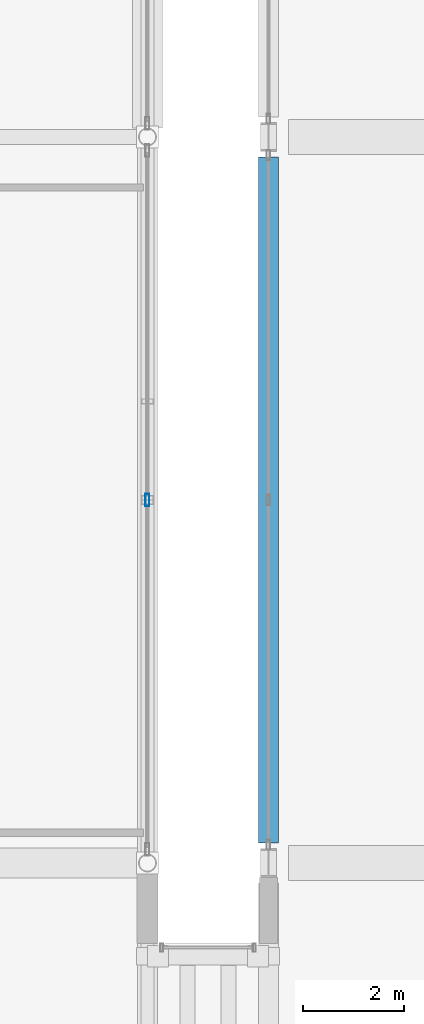
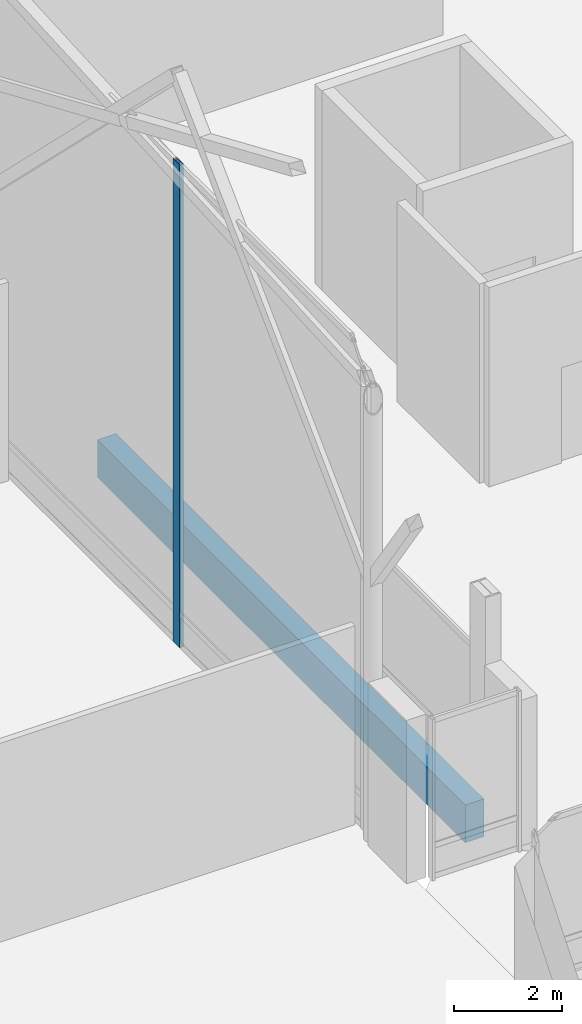
# One storey, part 78 of 220: 1 beam, 1 member, 1 element without a shape of its own.
"""IFC4 building model written with IfcOpenShell, lengths in metres."""

from ifc_helpers import new_model, si_unit, direction, frame, origin, origin_2d, place, context, subcontext, project, spatial, rectangle, hollow_rectangle, extrude, material, material_profile, profile_set, type_object, element, aggregate, save


model = new_model("IFC4")

# Units and contexts
model_context = context("Model", 3, precision=1e-05, world=origin(), true_north=direction((0.0, 1.0)))
body_context = subcontext(model_context, "Body", "Model", "MODEL_VIEW")
ifc_project = project(units=[si_unit("LENGTHUNIT", "METRE"), si_unit("AREAUNIT", "SQUARE_METRE"), si_unit("VOLUMEUNIT", "CUBIC_METRE"), si_unit("PLANEANGLEUNIT", "RADIAN"), si_unit("MASSUNIT", "GRAM", prefix="KILO")], contexts=[model_context])

# Site, building, storey
site_placement = place(None, origin())
site = spatial("IfcSite", under=ifc_project, at=site_placement, CompositionType="ELEMENT")
building_placement = place(site_placement, origin())
building = spatial("IfcBuilding", under=site, at=building_placement, Name="Cendralis Lancet Convention Centre", CompositionType="ELEMENT")
storey_placement = place(building_placement, frame((0.0, 0.0, 5.39990234375)))
storey = spatial("IfcBuildingStorey", under=building, at=storey_placement, Name="L01", CompositionType="ELEMENT", Elevation=5.39990234375)

# Curtain wall, member
ifc_material_1 = material(Name="Anodised bronze architectural aluminium", Category="aluminium")
curtain_wall_type = type_object("IfcCurtainWallType", Name="ARC-CW-GB02", PredefinedType="USERDEFINED", material=ifc_material_1)
curtain_wall_placement = place(storey_placement, origin())
curtain_wall = element("IfcCurtainWall", 1, at=curtain_wall_placement, inside=storey, type_object=curtain_wall_type, Name="L01 Curtain Wall CW-GB2 #108", ObjectType="CURTAIN WALL", PredefinedType="USERDEFINED")
ifc_material_profile_1 = material_profile(ifc_material_1, hollow_rectangle(XDim=0.080078125, YDim=0.239990234375, WallThickness=0.0048828125, at=origin_2d()), Name="AL-MULL 80x240x5.0")
ifc_profile_set_1 = profile_set([ifc_material_profile_1], Name="Anodised bronze architectural aluminium")
member_type = type_object("IfcMemberType", Name="ARC-CW-ML03", PredefinedType="MULLION", material=ifc_profile_set_1)
member_placement = place(storey_placement, frame((122.39990234375, 115.199951171875, 0.0), z_axis=(0.0, 0.0, 1.0), x_axis=(1.0, 0.0, 0.0)))
member = element("IfcMember", 2, at=member_placement, type_object=member_type, Name="Mullion CW2-CW-GB2-L01-108-M1", PredefinedType="MULLION", context=body_context, shape_type="SweptSolid", body=[
    extrude(hollow_rectangle(XDim=0.080078125, YDim=0.239990234375, WallThickness=0.0048828125, at=origin_2d()), origin(), (0.0, 0.0, 1.0), 10.901123046875),
])
aggregate(curtain_wall, [member])

# Beam
ifc_material_2 = material(Name="Concrete G40 (C40/50)", Category="concrete")
ifc_material_profile_2 = material_profile(ifc_material_2, rectangle(XDim=0.39990234375, YDim=0.85009765625, at=origin_2d()), Name="RCB 400x850")
ifc_profile_set_2 = profile_set([ifc_material_profile_2], Name="Concrete G40 (C40/50)")
beam_type = type_object("IfcBeamType", Name="STR-SP-SP02", PredefinedType="SPANDREL", material=ifc_profile_set_2)
beam_placement = place(storey_placement, frame((124.800048828125, 108.39990234375, -0.704833984375), z_axis=(0.0, 1.0, 0.0), x_axis=(-1.0, 0.0, 0.0)))
element("IfcBeam", 3, at=beam_placement, inside=storey, type_object=beam_type, Name="L01 Beam SP02 #1664", PredefinedType="SPANDREL", context=body_context, shape_type="SweptSolid", body=[
    extrude(rectangle(XDim=0.39990234375, YDim=0.85009765625, at=origin_2d()), origin(), (0.0, 0.0, 1.0), 13.60009765625),
])

save(model, "model.ifc")
